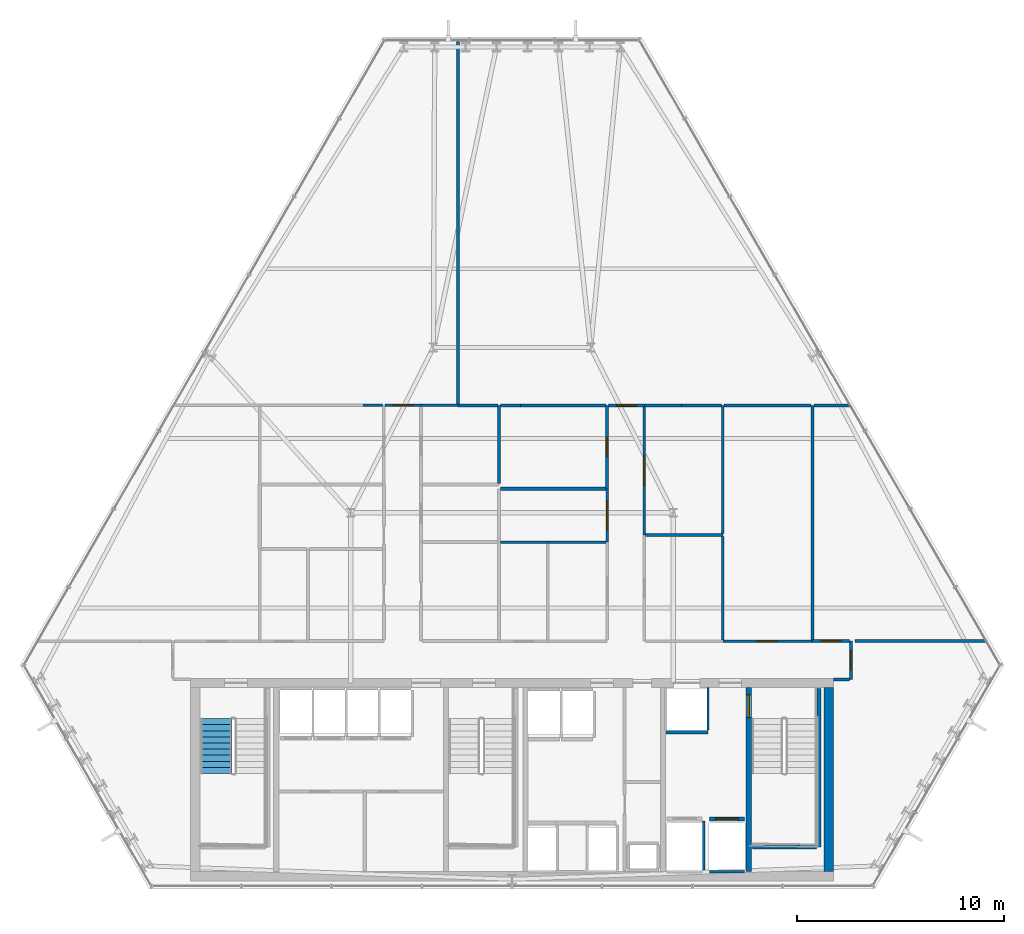
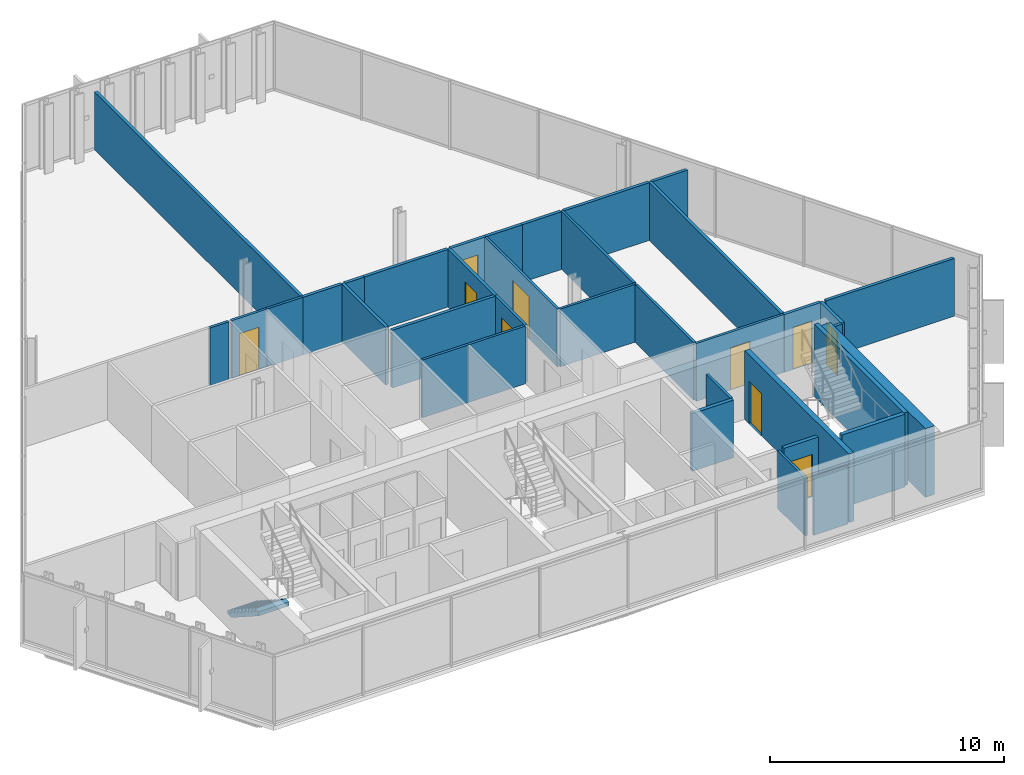
# One storey, part 27 of 32: 37 walls, 10 doors, 1 stair flight, 10 openings, 1 element without a shape of its own.
"""IFC4 building model written with IfcOpenShell, lengths in metres."""

from ifc_helpers import new_model, si_unit, direction, frame, frame_2d, origin, place, context, subcontext, project, spatial, polyline, rectangle, outline, extrude, material, layer, layer_set, type_object, element, fill, aggregate, save


model = new_model("IFC4")

# Units and contexts
model_context = context("Model", 3, precision=1e-05, world=origin(), true_north=direction((0.0, 1.0)))
body_context = subcontext(model_context, "Body", "Model", "MODEL_VIEW")
ifc_project = project(units=[si_unit("LENGTHUNIT", "METRE"), si_unit("AREAUNIT", "SQUARE_METRE"), si_unit("VOLUMEUNIT", "CUBIC_METRE"), si_unit("PLANEANGLEUNIT", "RADIAN"), si_unit("MASSUNIT", "GRAM", prefix="KILO")], contexts=[model_context])

# Site, building, storey
site_placement = place(None, origin())
site = spatial("IfcSite", under=ifc_project, at=site_placement, CompositionType="ELEMENT")
building_placement = place(site_placement, origin())
building = spatial("IfcBuilding", under=site, at=building_placement, Name="Ndaravel Arena Tower", CompositionType="ELEMENT")
storey_placement = place(building_placement, frame((0.0, 0.0, 130.800048828125)))
storey = spatial("IfcBuildingStorey", under=building, at=storey_placement, Name="L30", CompositionType="ELEMENT", Elevation=130.800048828125)

# Wall, opening, door
ifc_material_1 = material(Name="Concrete C60/75", Category="concrete")
ifc_layer_1 = layer(ifc_material_1, 0.25)
ifc_layer_set_1 = layer_set([ifc_layer_1], Name="Concrete C60/75")
wall_type_1 = type_object("IfcWallType", Name="WALL-CORE-250", PredefinedType="SOLIDWALL", material=ifc_layer_set_1)
wall_1_placement = place(storey_placement, frame((53.449951171875, 5.85009765625, 0.0), z_axis=(0.0, 0.0, 1.0), x_axis=(0.0, 1.0, 0.0)))
wall_1 = element("IfcWall", 1, at=wall_1_placement, inside=storey, type_object=wall_type_1, Name="L30 Core Web Shear Wall 5", PredefinedType="SOLIDWALL", context=body_context, shape_type="SweptSolid", body=[
    extrude(rectangle(XDim=8.89990234375, YDim=0.25, at=frame_2d((4.449951171875, 0.0))), origin(), (0.0, 0.0, 1.0), 3.579833984375),
])
opening_1_placement = place(wall_1_placement, frame((7.449951171875, 0.0, 0.0)))
opening_1 = element("IfcOpeningElement", 2, at=opening_1_placement, cuts=wall_1, Name="Opening FD-01", PredefinedType="OPENING", context=body_context, shape_type="SweptSolid", body=[
    extrude(rectangle(XDim=1.10009765625, YDim=2.199951171875, at=frame_2d((0.550048828125, 1.10009765625))), frame((0.0, 0.125, 0.0), z_axis=(0.0, -1.0, 0.0), x_axis=(1.0, 0.0, 0.0)), (0.0, 0.0, 1.0), 0.25),
])
ifc_material_2 = material(Name="Steel S355", Category="steel")
door_type_1 = type_object("IfcDoorType", Name="DT-01-STAIR-1100", OperationType="SINGLE_SWING_LEFT", PredefinedType="DOOR", material=ifc_material_2)
door_1_placement = place(opening_1_placement, origin())
door_1 = element("IfcDoor", 3, at=door_1_placement, inside=storey, type_object=door_type_1, Name="L30 Firefighting Lobby to ST-3 Door", OperationType="SINGLE_SWING_LEFT", OverallHeight=2.199951171875, OverallWidth=1.10009765625, PredefinedType="DOOR", context=body_context, shape_type="SweptSolid", body=[
    extrude(rectangle(XDim=1.10009765625, YDim=2.199951171875, at=frame_2d((0.550048828125, 1.10009765625))), frame((0.0, 0.02490234375, 0.0), z_axis=(0.0, -1.0, 0.0), x_axis=(1.0, 0.0, 0.0)), (0.0, 0.0, 1.0), 0.050048828125),
])
fill(opening_1, door_1)

# Wall
ifc_material_3 = material(Name="Concrete C60/75", Category="concrete")
ifc_layer_2 = layer(ifc_material_3, 0.449951171875)
ifc_layer_set_2 = layer_set([ifc_layer_2], Name="Concrete C60/75")
wall_type_2 = type_object("IfcWallType", Name="WALL-CORE-450", PredefinedType="SOLIDWALL", material=ifc_layer_set_2)
wall_2_placement = place(storey_placement, frame((57.324951171875, 5.85009765625, 0.0), z_axis=(0.0, 0.0, 1.0), x_axis=(0.0, 1.0, 0.0)))
element("IfcWall", 4, at=wall_2_placement, inside=storey, type_object=wall_type_2, Name="L30 Core East Shear Wall", PredefinedType="SOLIDWALL", context=body_context, shape_type="SweptSolid", body=[
    extrude(rectangle(XDim=8.89990234375, YDim=0.449951171875, at=frame_2d((4.449951171875, 0.0))), origin(), (0.0, 0.0, 1.0), 3.579833984375),
])

# Wall, opening, door
ifc_material_4 = material(Name="Gypsum", Category="gypsum")
ifc_layer_3 = layer(ifc_material_4, 0.125)
ifc_layer_set_3 = layer_set([ifc_layer_3], Name="Gypsum")
wall_type_3 = type_object("IfcWallType", Name="WALL-PART-125", PredefinedType="PARTITIONING", material=ifc_layer_set_3)
wall_3_placement = place(storey_placement, frame((35.864990234375, 28.39990234375, 0.0), z_axis=(0.0, 0.0, 1.0), x_axis=(1.0, 0.0, 0.0)))
wall_3 = element("IfcWall", 5, at=wall_3_placement, inside=storey, type_object=wall_type_3, Name="L30 Interior Partition 011", PredefinedType="PARTITIONING", context=body_context, shape_type="SweptSolid", body=[
    extrude(rectangle(XDim=1.735107421875, YDim=0.125, at=frame_2d((0.86767578125, 0.0))), origin(), (0.0, 0.0, 1.0), 3.010498046875),
])
opening_2_placement = place(wall_3_placement, frame((0.392578125, 0.0, 0.0)))
opening_2 = element("IfcOpeningElement", 6, at=opening_2_placement, cuts=wall_3, Name="Opening ID-01", PredefinedType="OPENING", context=body_context, shape_type="SweptSolid", body=[
    extrude(rectangle(XDim=0.949951171875, YDim=2.199951171875, at=frame_2d((0.47509765625, 1.10009765625))), frame((0.0, 0.0625, 0.0), z_axis=(0.0, -1.0, 0.0), x_axis=(1.0, 0.0, 0.0)), (0.0, 0.0, 1.0), 0.125),
])
ifc_material_5 = material(Name="Timber", Category="wood")
door_type_2 = type_object("IfcDoorType", Name="DT-03-OFFICE-950", OperationType="SINGLE_SWING_LEFT", PredefinedType="DOOR", material=ifc_material_5)
door_2_placement = place(opening_2_placement, origin())
door_2 = element("IfcDoor", 7, at=door_2_placement, inside=storey, type_object=door_type_2, Name="L30 Training Classroom 8 Door", OperationType="SINGLE_SWING_LEFT", OverallHeight=2.199951171875, OverallWidth=0.949951171875, PredefinedType="DOOR", context=body_context, shape_type="SweptSolid", body=[
    extrude(rectangle(XDim=0.949951171875, YDim=2.199951171875, at=frame_2d((0.47509765625, 1.10009765625))), frame((0.0, 0.02490234375, 0.0), z_axis=(0.0, -1.0, 0.0), x_axis=(1.0, 0.0, 0.0)), (0.0, 0.0, 1.0), 0.050048828125),
])
fill(opening_2, door_2)

wall_4_placement = place(storey_placement, frame((46.60009765625, 21.7880859375, 0.0), z_axis=(0.0, 0.0, 1.0), x_axis=(0.0, 1.0, 0.0)))
wall_4 = element("IfcWall", 8, at=wall_4_placement, inside=storey, type_object=wall_type_3, Name="L30 Interior Partition 019", PredefinedType="PARTITIONING", context=body_context, shape_type="SweptSolid", body=[
    extrude(rectangle(XDim=2.57861328125, YDim=0.125, at=frame_2d((1.289306640625, 0.0))), origin(), (0.0, 0.0, 1.0), 3.010498046875),
])
opening_3_placement = place(wall_4_placement, frame((0.58935546875, 0.0, 0.0)))
opening_3 = element("IfcOpeningElement", 9, at=opening_3_placement, cuts=wall_4, Name="Opening ID-02", PredefinedType="OPENING", context=body_context, shape_type="SweptSolid", body=[
    extrude(rectangle(XDim=1.39990234375, YDim=2.199951171875, at=frame_2d((0.699951171875, 1.10009765625))), frame((0.0, 0.0625, 0.0), z_axis=(0.0, -1.0, 0.0), x_axis=(1.0, 0.0, 0.0)), (0.0, 0.0, 1.0), 0.125),
])
ifc_material_6 = material(Name="Timber", Category="wood")
door_type_3 = type_object("IfcDoorType", Name="DT-04-SUITE-1400", OperationType="DOUBLE_DOOR_SINGLE_SWING", PredefinedType="DOOR", material=ifc_material_6)
door_3_placement = place(opening_3_placement, origin())
door_3 = element("IfcDoor", 10, at=door_3_placement, inside=storey, type_object=door_type_3, Name="L30 Executive Boardroom 5 Door", OperationType="SINGLE_SWING_LEFT", OverallHeight=2.199951171875, OverallWidth=1.39990234375, PredefinedType="DOOR", context=body_context, shape_type="SweptSolid", body=[
    extrude(rectangle(XDim=1.39990234375, YDim=2.199951171875, at=frame_2d((0.699951171875, 1.10009765625))), frame((0.0, 0.02490234375, 0.0), z_axis=(0.0, -1.0, 0.0), x_axis=(1.0, 0.0, 0.0)), (0.0, 0.0, 1.0), 0.050048828125),
])
fill(opening_3, door_3)

wall_5_placement = place(storey_placement, frame((48.39990234375, 28.3349609375, 0.0), z_axis=(0.0, 0.0, 1.0), x_axis=(0.0, -1.0, 0.0)))
wall_5 = element("IfcWall", 11, at=wall_5_placement, inside=storey, type_object=wall_type_3, Name="L30 Interior Partition 022", PredefinedType="PARTITIONING", context=body_context, shape_type="SweptSolid", body=[
    extrude(rectangle(XDim=6.205078125, YDim=0.125, at=frame_2d((3.1025390625, 0.0))), origin(), (0.0, 0.0, 1.0), 3.010498046875),
])
opening_4_placement = place(wall_5_placement, frame((2.402587890625, 0.0, 0.0)))
opening_4 = element("IfcOpeningElement", 12, at=opening_4_placement, cuts=wall_5, Name="Opening ID-02", PredefinedType="OPENING", context=body_context, shape_type="SweptSolid", body=[
    extrude(rectangle(XDim=1.39990234375, YDim=2.199951171875, at=frame_2d((0.699951171875, 1.10009765625))), frame((0.0, 0.0625, 0.0), z_axis=(0.0, -1.0, 0.0), x_axis=(1.0, 0.0, 0.0)), (0.0, 0.0, 1.0), 0.125),
])
door_4_placement = place(opening_4_placement, origin())
door_4 = element("IfcDoor", 13, at=door_4_placement, inside=storey, type_object=door_type_3, Name="L30 Client Conference Room 6 Door", OperationType="SINGLE_SWING_LEFT", OverallHeight=2.199951171875, OverallWidth=1.39990234375, PredefinedType="DOOR", context=body_context, shape_type="SweptSolid", body=[
    extrude(rectangle(XDim=1.39990234375, YDim=2.199951171875, at=frame_2d((0.699951171875, 1.10009765625))), frame((0.0, 0.02490234375, 0.0), z_axis=(0.0, -1.0, 0.0), x_axis=(1.0, 0.0, 0.0)), (0.0, 0.0, 1.0), 0.050048828125),
])
fill(opening_4, door_4)

wall_6_placement = place(storey_placement, frame((52.199951171875, 17.0, 0.0), z_axis=(0.0, 0.0, 1.0), x_axis=(1.0, 0.0, 0.0)))
wall_6 = element("IfcWall", 14, at=wall_6_placement, inside=storey, type_object=wall_type_3, Name="L30 Interior Partition 025", PredefinedType="PARTITIONING", context=body_context, shape_type="SweptSolid", body=[
    extrude(rectangle(XDim=4.33251953125, YDim=0.125, at=frame_2d((2.166259765625, 0.0))), origin(), (0.0, 0.0, 1.0), 3.010498046875),
])
opening_5_placement = place(wall_6_placement, frame((1.691162109375, 0.0, 0.0)))
opening_5 = element("IfcOpeningElement", 15, at=opening_5_placement, cuts=wall_6, Name="Opening ID-01", PredefinedType="OPENING", context=body_context, shape_type="SweptSolid", body=[
    extrude(rectangle(XDim=0.949951171875, YDim=2.199951171875, at=frame_2d((0.47509765625, 1.10009765625))), frame((0.0, 0.0625, 0.0), z_axis=(0.0, -1.0, 0.0), x_axis=(1.0, 0.0, 0.0)), (0.0, 0.0, 1.0), 0.125),
])
door_5_placement = place(opening_5_placement, origin())
door_5 = element("IfcDoor", 16, at=door_5_placement, inside=storey, type_object=door_type_2, Name="L30 Training Classroom 4 Door", OperationType="SINGLE_SWING_LEFT", OverallHeight=2.199951171875, OverallWidth=0.949951171875, PredefinedType="DOOR", context=body_context, shape_type="SweptSolid", body=[
    extrude(rectangle(XDim=0.949951171875, YDim=2.199951171875, at=frame_2d((0.47509765625, 1.10009765625))), frame((0.0, 0.02490234375, 0.0), z_axis=(0.0, -1.0, 0.0), x_axis=(1.0, 0.0, 0.0)), (0.0, 0.0, 1.0), 0.050048828125),
])
fill(opening_5, door_5)

# Walls
wall_7_placement = place(storey_placement, frame((41.445068359375, 21.7880859375, 0.0), z_axis=(0.0, 0.0, 1.0), x_axis=(1.0, 0.0, 0.0)))
element("IfcWall", 17, at=wall_7_placement, inside=storey, type_object=wall_type_3, Name="L30 Interior Partition 036", PredefinedType="PARTITIONING", context=body_context, shape_type="SweptSolid", body=[
    extrude(rectangle(XDim=2.283935546875, YDim=0.125, at=frame_2d((1.14208984375, 0.0))), origin(), (0.0, 0.0, 1.0), 3.010498046875),
])
wall_8_placement = place(storey_placement, frame((43.72900390625, 21.7880859375, 0.0), z_axis=(0.0, 0.0, 1.0), x_axis=(1.0, 0.0, 0.0)))
element("IfcWall", 18, at=wall_8_placement, inside=storey, type_object=wall_type_3, Name="L30 Interior Partition 038", PredefinedType="PARTITIONING", context=body_context, shape_type="SweptSolid", body=[
    extrude(rectangle(XDim=2.805908203125, YDim=0.125, at=frame_2d((1.40283203125, 0.0))), origin(), (0.0, 0.0, 1.0), 3.010498046875),
])
wall_9_placement = place(storey_placement, frame((48.465087890625, 22.1298828125, 0.0), z_axis=(0.0, 0.0, 1.0), x_axis=(1.0, 0.0, 0.0)))
element("IfcWall", 19, at=wall_9_placement, inside=storey, type_object=wall_type_3, Name="L30 Interior Partition 039", PredefinedType="PARTITIONING", context=body_context, shape_type="SweptSolid", body=[
    extrude(rectangle(XDim=3.73486328125, YDim=0.125, at=frame_2d((1.867431640625, 0.0))), origin(), (0.0, 0.0, 1.0), 3.010498046875),
])
wall_10_placement = place(storey_placement, frame((52.199951171875, 22.06494140625, 0.0), z_axis=(0.0, 0.0, 1.0), x_axis=(0.0, -1.0, 0.0)))
element("IfcWall", 20, at=wall_10_placement, inside=storey, type_object=wall_type_3, Name="L30 Interior Partition 040", PredefinedType="PARTITIONING", context=body_context, shape_type="SweptSolid", body=[
    extrude(rectangle(XDim=5.0, YDim=0.125, at=frame_2d((2.5, 0.0))), origin(), (0.0, 0.0, 1.0), 3.010498046875),
])
wall_11_placement = place(storey_placement, frame((52.199951171875, 22.195068359375, 0.0), z_axis=(0.0, 0.0, 1.0), x_axis=(0.0, 1.0, 0.0)))
element("IfcWall", 21, at=wall_11_placement, inside=storey, type_object=wall_type_3, Name="L30 Interior Partition 046", PredefinedType="PARTITIONING", context=body_context, shape_type="SweptSolid", body=[
    extrude(rectangle(XDim=6.204833984375, YDim=0.125, at=frame_2d((3.1025390625, 0.0))), origin(), (0.0, 0.0, 1.0), 3.010498046875),
])
wall_12_placement = place(storey_placement, frame((37.60009765625, 28.39990234375, 0.0), z_axis=(0.0, 0.0, 1.0), x_axis=(1.0, 0.0, 0.0)))
element("IfcWall", 22, at=wall_12_placement, inside=storey, type_object=wall_type_3, Name="L30 Interior Partition 057", PredefinedType="PARTITIONING", context=body_context, shape_type="SweptSolid", body=[
    extrude(rectangle(XDim=1.7822265625, YDim=0.125, at=frame_2d((0.89111328125, 0.0))), origin(), (0.0, 0.0, 1.0), 3.010498046875),
])
wall_13_placement = place(storey_placement, frame((34.800048828125, 28.39990234375, 0.0), z_axis=(0.0, 0.0, 1.0), x_axis=(1.0, 0.0, 0.0)))
element("IfcWall", 23, at=wall_13_placement, inside=storey, type_object=wall_type_3, Name="L30 Interior Partition 060", PredefinedType="PARTITIONING", context=body_context, shape_type="SweptSolid", body=[
    extrude(rectangle(XDim=0.93505859375, YDim=0.125, at=frame_2d((0.467529296875, 0.0))), origin(), (0.0, 0.0, 1.0), 3.010498046875),
])
ifc_material_7 = material(Name="Concrete C40/50", Category="concrete")
ifc_layer_4 = layer(ifc_material_7, 0.1201171875)
ifc_layer_set_4 = layer_set([ifc_layer_4], Name="Concrete C40/50")
wall_type_4 = type_object("IfcWallType", Name="WALL-SHAFT-120", PredefinedType="SOLIDWALL", material=ifc_layer_set_4)
wall_14_placement = place(storey_placement, frame((51.27490234375, 5.929931640625, 0.0), z_axis=(0.0, 0.0, 1.0), x_axis=(0.0, 1.0, 0.0)))
element("IfcWall", 24, at=wall_14_placement, inside=storey, type_object=wall_type_4, Name="L30 FFL-1 Shaft Side R Wall", PredefinedType="SOLIDWALL", context=body_context, shape_type="SweptSolid", body=[
    extrude(rectangle(XDim=2.380126953125, YDim=0.1201171875, at=frame_2d((1.18994140625, 0.0))), origin(), (0.0, 0.0, 1.0), 3.010498046875),
])
wall_15_placement = place(storey_placement, frame((51.554931640625, 5.840087890625, 0.0), z_axis=(0.0, 0.0, 1.0), x_axis=(1.0, 0.0, 0.0)))
element("IfcWall", 25, at=wall_15_placement, inside=storey, type_object=wall_type_4, Name="L30 FFL-2 Shaft Rear Wall", PredefinedType="SOLIDWALL", context=body_context, shape_type="SweptSolid", body=[
    extrude(rectangle(XDim=1.690185546875, YDim=0.1201171875, at=frame_2d((0.84521484375, 0.0))), origin(), (0.0, 0.0, 1.0), 3.010498046875),
])
wall_16_placement = place(storey_placement, frame((51.47998046875, 12.68994140625, 0.0), z_axis=(0.0, 0.0, 1.0), x_axis=(0.0, 1.0, 0.0)))
element("IfcWall", 26, at=wall_16_placement, inside=storey, type_object=wall_type_4, Name="L30 SVL-1 Shaft E Wall", PredefinedType="SOLIDWALL", context=body_context, shape_type="SweptSolid", body=[
    extrude(rectangle(XDim=2.070068359375, YDim=0.1201171875, at=frame_2d((1.03515625, 0.0))), origin(), (0.0, 0.0, 1.0), 3.010498046875),
])
ifc_material_8 = material(Name="Concrete C40/50", Category="concrete")
ifc_layer_5 = layer(ifc_material_8, 0.199951171875)
ifc_layer_set_5 = layer_set([ifc_layer_5], Name="Concrete C40/50")
wall_type_5 = type_object("IfcWallType", Name="WALL-SHAFT-200", PredefinedType="SOLIDWALL", material=ifc_layer_set_5)
wall_17_placement = place(storey_placement, frame((56.840087890625, 14.699951171875, 0.0), z_axis=(0.0, 0.0, 1.0), x_axis=(0.0, -1.0, 0.0)))
element("IfcWall", 27, at=wall_17_placement, inside=storey, type_object=wall_type_5, Name="L30 ST-3 Structural Shaft Wall Right", PredefinedType="SOLIDWALL", context=body_context, shape_type="SweptSolid", body=[
    extrude(rectangle(XDim=7.64990234375, YDim=0.199951171875, at=frame_2d((3.824951171875, 0.0))), origin(), (0.0, 0.0, 1.0), 3.800048828125),
])
wall_18_placement = place(storey_placement, frame((53.6201171875, 7.050048828125, 0.0), z_axis=(0.0, 0.0, 1.0), x_axis=(1.0, 0.0, 0.0)))
element("IfcWall", 28, at=wall_18_placement, inside=storey, type_object=wall_type_5, Name="L30 ST-3 Structural Shaft Wall Far", PredefinedType="SOLIDWALL", context=body_context, shape_type="SweptSolid", body=[
    extrude(rectangle(XDim=3.114990234375, YDim=0.199951171875, at=frame_2d((1.5576171875, 0.0))), origin(), (0.0, 0.0, 1.0), 3.800048828125),
])

# Wall, opening, door
wall_19_placement = place(storey_placement, frame((51.554931640625, 8.39990234375, 0.0), z_axis=(0.0, 0.0, 1.0), x_axis=(1.0, 0.0, 0.0)))
wall_19 = element("IfcWall", 29, at=wall_19_placement, inside=storey, type_object=wall_type_5, Name="L30 FFL-2 Shaft Landing Wall", PredefinedType="SOLIDWALL", context=body_context, shape_type="SweptSolid", body=[
    extrude(rectangle(XDim=1.690185546875, YDim=0.179931640625, at=frame_2d((0.84521484375, 0.0))), origin(), (0.0, 0.0, 1.0), 3.010498046875),
])
opening_6_placement = place(wall_19_placement, frame((0.294921875, 0.0, 0.0)))
opening_6 = element("IfcOpeningElement", 30, at=opening_6_placement, cuts=wall_19, Name="Opening LD-01", PredefinedType="OPENING", context=body_context, shape_type="SweptSolid", body=[
    extrude(rectangle(XDim=1.10009765625, YDim=2.199951171875, at=frame_2d((0.550048828125, 1.10009765625))), frame((0.0, 0.08984375, 0.0), z_axis=(0.0, -1.0, 0.0), x_axis=(1.0, 0.0, 0.0)), (0.0, 0.0, 1.0), 0.179931640625),
])
ifc_material_9 = material(Name="Steel S355", Category="steel")
door_type_4 = type_object("IfcDoorType", Name="DT-06-LIFT-1100", OperationType="SLIDING_TO_LEFT", PredefinedType="DOOR", material=ifc_material_9)
door_6_placement = place(opening_6_placement, origin())
door_6 = element("IfcDoor", 31, at=door_6_placement, inside=storey, type_object=door_type_4, Name="L30 Lift FFL-2 Sliding Landing Door", OperationType="SLIDING_TO_LEFT", OverallHeight=2.199951171875, OverallWidth=1.10009765625, PredefinedType="DOOR", context=body_context, shape_type="SweptSolid", body=[
    extrude(rectangle(XDim=1.10009765625, YDim=2.199951171875, at=frame_2d((0.550048828125, 1.10009765625))), frame((0.0, 0.02490234375, 0.0), z_axis=(0.0, -1.0, 0.0), x_axis=(1.0, 0.0, 0.0)), (0.0, 0.0, 1.0), 0.050048828125),
])
fill(opening_6, door_6)

# Wall
wall_20_placement = place(storey_placement, frame((49.43994140625, 12.594970703125, 0.0), z_axis=(0.0, 0.0, 1.0), x_axis=(1.0, 0.0, 0.0)))
element("IfcWall", 32, at=wall_20_placement, inside=storey, type_object=wall_type_5, Name="L30 SVL-1 Shaft South Wall", PredefinedType="SOLIDWALL", context=body_context, shape_type="SweptSolid", body=[
    extrude(rectangle(XDim=2.0400390625, YDim=0.179931640625, at=frame_2d((1.02001953125, 0.0))), origin(), (0.0, 0.0, 1.0), 3.010498046875),
])

# Wall, opening, door
ifc_material_10 = material(Name="Masonry", Category="masonry")
ifc_layer_6 = layer(ifc_material_10, 0.14990234375)
ifc_layer_set_6 = layer_set([ifc_layer_6], Name="Masonry")
wall_type_6 = type_object("IfcWallType", Name="WALL-WET-150", PredefinedType="PARTITIONING", material=ifc_layer_set_6)
wall_21_placement = place(storey_placement, frame((58.39990234375, 17.0, 0.0), z_axis=(0.0, 0.0, 1.0), x_axis=(0.0, -1.0, 0.0)))
wall_21 = element("IfcWall", 33, at=wall_21_placement, inside=storey, type_object=wall_type_6, Name="L30 Interior Partition 001", PredefinedType="PARTITIONING", context=body_context, shape_type="SweptSolid", body=[
    extrude(rectangle(XDim=1.85009765625, YDim=0.14990234375, at=frame_2d((0.925048828125, 0.0))), origin(), (0.0, 0.0, 1.0), 3.010498046875),
])
opening_7_placement = place(wall_21_placement, frame((0.449951171875, 0.0, 0.0)))
opening_7 = element("IfcOpeningElement", 34, at=opening_7_placement, cuts=wall_21, Name="Opening FD-03", PredefinedType="OPENING", context=body_context, shape_type="SweptSolid", body=[
    extrude(rectangle(XDim=0.949951171875, YDim=2.199951171875, at=frame_2d((0.47509765625, 1.10009765625))), frame((0.0, 0.074951171875, 0.0), z_axis=(0.0, -1.0, 0.0), x_axis=(1.0, 0.0, 0.0)), (0.0, 0.0, 1.0), 0.14990234375),
])
ifc_material_11 = material(Name="Steel S355", Category="steel")
door_type_5 = type_object("IfcDoorType", Name="DT-11-CORE-950", OperationType="SINGLE_SWING_LEFT", PredefinedType="DOOR", material=ifc_material_11)
door_7_placement = place(opening_7_placement, origin())
door_7 = element("IfcDoor", 35, at=door_7_placement, inside=storey, type_object=door_type_5, Name="L30 Staff Espresso Kitchen Door", OperationType="SINGLE_SWING_RIGHT", OverallHeight=2.199951171875, OverallWidth=0.949951171875, PredefinedType="DOOR", context=body_context, shape_type="SweptSolid", body=[
    extrude(rectangle(XDim=0.949951171875, YDim=2.199951171875, at=frame_2d((0.47509765625, 1.10009765625))), frame((0.0, 0.02490234375, 0.0), z_axis=(0.0, -1.0, 0.0), x_axis=(1.0, 0.0, 0.0)), (0.0, 0.0, 1.0), 0.050048828125),
])
fill(opening_7, door_7)

# Wall
wall_22_placement = place(storey_placement, frame((58.3349609375, 15.14990234375, 0.0), z_axis=(0.0, 0.0, 1.0), x_axis=(-1.0, 0.0, 0.0)))
element("IfcWall", 36, at=wall_22_placement, inside=storey, type_object=wall_type_6, Name="L30 Interior Partition 002", PredefinedType="PARTITIONING", context=body_context, shape_type="SweptSolid", body=[
    extrude(rectangle(XDim=0.784912109375, YDim=0.14990234375, at=frame_2d((0.392578125, 0.0))), origin(), (0.0, 0.0, 1.0), 3.010498046875),
])

# Wall, opening, door
wall_23_placement = place(storey_placement, frame((46.60009765625, 24.36669921875, 0.0), z_axis=(0.0, 0.0, 1.0), x_axis=(0.0, 1.0, 0.0)))
wall_23 = element("IfcWall", 37, at=wall_23_placement, inside=storey, type_object=wall_type_6, Name="L30 Interior Partition 020", PredefinedType="PARTITIONING", context=body_context, shape_type="SweptSolid", body=[
    extrude(rectangle(XDim=4.033203125, YDim=0.14990234375, at=frame_2d((2.0166015625, 0.0))), origin(), (0.0, 0.0, 1.0), 3.010498046875),
])
opening_8_placement = place(wall_23_placement, frame((1.54150390625, 0.0, 0.0)))
opening_8 = element("IfcOpeningElement", 38, at=opening_8_placement, cuts=wall_23, Name="Opening FD-03", PredefinedType="OPENING", context=body_context, shape_type="SweptSolid", body=[
    extrude(rectangle(XDim=0.949951171875, YDim=2.199951171875, at=frame_2d((0.47509765625, 1.10009765625))), frame((0.0, 0.074951171875, 0.0), z_axis=(0.0, -1.0, 0.0), x_axis=(1.0, 0.0, 0.0)), (0.0, 0.0, 1.0), 0.14990234375),
])
door_8_placement = place(opening_8_placement, origin())
door_8 = element("IfcDoor", 39, at=door_8_placement, inside=storey, type_object=door_type_5, Name="L30 Catering Pantry 6 Door", OperationType="SINGLE_SWING_RIGHT", OverallHeight=2.199951171875, OverallWidth=0.949951171875, PredefinedType="DOOR", context=body_context, shape_type="SweptSolid", body=[
    extrude(rectangle(XDim=0.949951171875, YDim=2.199951171875, at=frame_2d((0.47509765625, 1.10009765625))), frame((0.0, 0.02490234375, 0.0), z_axis=(0.0, -1.0, 0.0), x_axis=(1.0, 0.0, 0.0)), (0.0, 0.0, 1.0), 0.050048828125),
])
fill(opening_8, door_8)

wall_24_placement = place(storey_placement, frame((46.6650390625, 28.39990234375, 0.0), z_axis=(0.0, 0.0, 1.0), x_axis=(1.0, 0.0, 0.0)))
wall_24 = element("IfcWall", 40, at=wall_24_placement, inside=storey, type_object=wall_type_6, Name="L30 Interior Partition 021", PredefinedType="PARTITIONING", context=body_context, shape_type="SweptSolid", body=[
    extrude(rectangle(XDim=1.73486328125, YDim=0.14990234375, at=frame_2d((0.867431640625, 0.0))), origin(), (0.0, 0.0, 1.0), 3.010498046875),
])
opening_9_placement = place(wall_24_placement, frame((0.392578125, 0.0, 0.0)))
opening_9 = element("IfcOpeningElement", 41, at=opening_9_placement, cuts=wall_24, Name="Opening FD-03", PredefinedType="OPENING", context=body_context, shape_type="SweptSolid", body=[
    extrude(rectangle(XDim=0.949951171875, YDim=2.199951171875, at=frame_2d((0.47509765625, 1.10009765625))), frame((0.0, 0.074951171875, 0.0), z_axis=(0.0, -1.0, 0.0), x_axis=(1.0, 0.0, 0.0)), (0.0, 0.0, 1.0), 0.14990234375),
])
door_9_placement = place(opening_9_placement, origin())
door_9 = element("IfcDoor", 42, at=door_9_placement, inside=storey, type_object=door_type_5, Name="L30 Floor Servery Kitchen 8 Door", OperationType="SINGLE_SWING_RIGHT", OverallHeight=2.199951171875, OverallWidth=0.949951171875, PredefinedType="DOOR", context=body_context, shape_type="SweptSolid", body=[
    extrude(rectangle(XDim=0.949951171875, YDim=2.199951171875, at=frame_2d((0.47509765625, 1.10009765625))), frame((0.0, 0.02490234375, 0.0), z_axis=(0.0, -1.0, 0.0), x_axis=(1.0, 0.0, 0.0)), (0.0, 0.0, 1.0), 0.050048828125),
])
fill(opening_9, door_9)

wall_25_placement = place(storey_placement, frame((56.532470703125, 17.0, 0.0), z_axis=(0.0, 0.0, 1.0), x_axis=(1.0, 0.0, 0.0)))
wall_25 = element("IfcWall", 43, at=wall_25_placement, inside=storey, type_object=wall_type_6, Name="L30 Interior Partition 026", PredefinedType="PARTITIONING", context=body_context, shape_type="SweptSolid", body=[
    extrude(rectangle(XDim=1.802490234375, YDim=0.14990234375, at=frame_2d((0.9013671875, 0.0))), origin(), (0.0, 0.0, 1.0), 3.010498046875),
])
opening_10_placement = place(wall_25_placement, frame((0.42626953125, 0.0, 0.0)))
opening_10 = element("IfcOpeningElement", 44, at=opening_10_placement, cuts=wall_25, Name="Opening FD-03", PredefinedType="OPENING", context=body_context, shape_type="SweptSolid", body=[
    extrude(rectangle(XDim=0.949951171875, YDim=2.199951171875, at=frame_2d((0.47509765625, 1.10009765625))), frame((0.0, 0.074951171875, 0.0), z_axis=(0.0, -1.0, 0.0), x_axis=(1.0, 0.0, 0.0)), (0.0, 0.0, 1.0), 0.14990234375),
])
door_10_placement = place(opening_10_placement, origin())
door_10 = element("IfcDoor", 45, at=door_10_placement, inside=storey, type_object=door_type_5, Name="L30 Catering Pantry 2 Door", OperationType="SINGLE_SWING_LEFT", OverallHeight=2.199951171875, OverallWidth=0.949951171875, PredefinedType="DOOR", context=body_context, shape_type="SweptSolid", body=[
    extrude(rectangle(XDim=0.949951171875, YDim=2.199951171875, at=frame_2d((0.47509765625, 1.10009765625))), frame((0.0, 0.02490234375, 0.0), z_axis=(0.0, -1.0, 0.0), x_axis=(1.0, 0.0, 0.0)), (0.0, 0.0, 1.0), 0.050048828125),
])
fill(opening_10, door_10)

# Walls
wall_26_placement = place(storey_placement, frame((58.60009765625, 17.0, 0.0), z_axis=(0.0, 0.0, 1.0), x_axis=(1.0, 0.0, 0.0)))
element("IfcWall", 46, at=wall_26_placement, inside=storey, type_object=wall_type_6, Name="L30 Interior Partition 029", PredefinedType="PARTITIONING", context=body_context, shape_type="SweptSolid", body=[
    extrude(rectangle(XDim=6.34228515625, YDim=0.14990234375, at=frame_2d((3.171142578125, 0.0))), origin(), (0.0, 0.0, 1.0), 3.010498046875),
])
wall_27_placement = place(storey_placement, frame((56.532470703125, 17.06494140625, 0.0), z_axis=(0.0, 0.0, 1.0), x_axis=(0.0, 1.0, 0.0)))
element("IfcWall", 47, at=wall_27_placement, inside=storey, type_object=wall_type_6, Name="L30 Interior Partition 041", PredefinedType="PARTITIONING", context=body_context, shape_type="SweptSolid", body=[
    extrude(rectangle(XDim=11.3349609375, YDim=0.14990234375, at=frame_2d((5.66748046875, 0.0))), origin(), (0.0, 0.0, 1.0), 3.010498046875),
])
wall_28_placement = place(storey_placement, frame((56.597412109375, 28.39990234375, 0.0), z_axis=(0.0, 0.0, 1.0), x_axis=(1.0, 0.0, 0.0)))
element("IfcWall", 48, at=wall_28_placement, inside=storey, type_object=wall_type_6, Name="L30 Interior Partition 042", PredefinedType="PARTITIONING", context=body_context, shape_type="SweptSolid", body=[
    extrude(rectangle(XDim=1.76318359375, YDim=0.14990234375, at=frame_2d((0.881591796875, 0.0))), origin(), (0.0, 0.0, 1.0), 3.010498046875),
])
wall_29_placement = place(storey_placement, frame((52.264892578125, 28.39990234375, 0.0), z_axis=(0.0, 0.0, 1.0), x_axis=(1.0, 0.0, 0.0)))
element("IfcWall", 49, at=wall_29_placement, inside=storey, type_object=wall_type_6, Name="L30 Interior Partition 047", PredefinedType="PARTITIONING", context=body_context, shape_type="SweptSolid", body=[
    extrude(rectangle(XDim=4.202392578125, YDim=0.14990234375, at=frame_2d((2.10107421875, 0.0))), origin(), (0.0, 0.0, 1.0), 3.010498046875),
])
wall_30_placement = place(storey_placement, frame((41.445068359375, 24.36669921875, 0.0), z_axis=(0.0, 0.0, 1.0), x_axis=(1.0, 0.0, 0.0)))
element("IfcWall", 50, at=wall_30_placement, inside=storey, type_object=wall_type_6, Name="L30 Interior Partition 050", PredefinedType="PARTITIONING", context=body_context, shape_type="SweptSolid", body=[
    extrude(rectangle(XDim=5.08984375, YDim=0.14990234375, at=frame_2d((2.544921875, 0.0))), origin(), (0.0, 0.0, 1.0), 3.010498046875),
])
wall_31_placement = place(storey_placement, frame((48.39990234375, 28.39990234375, 0.0), z_axis=(0.0, 0.0, 1.0), x_axis=(1.0, 0.0, 0.0)))
element("IfcWall", 51, at=wall_31_placement, inside=storey, type_object=wall_type_6, Name="L30 Interior Partition 052", PredefinedType="PARTITIONING", context=body_context, shape_type="SweptSolid", body=[
    extrude(rectangle(XDim=1.800048828125, YDim=0.14990234375, at=frame_2d((0.89990234375, 0.0))), origin(), (0.0, 0.0, 1.0), 3.010498046875),
])
wall_32_placement = place(storey_placement, frame((50.199951171875, 28.39990234375, 0.0), z_axis=(0.0, 0.0, 1.0), x_axis=(1.0, 0.0, 0.0)))
element("IfcWall", 52, at=wall_32_placement, inside=storey, type_object=wall_type_6, Name="L30 Interior Partition 053", PredefinedType="PARTITIONING", context=body_context, shape_type="SweptSolid", body=[
    extrude(rectangle(XDim=1.93505859375, YDim=0.14990234375, at=frame_2d((0.967529296875, 0.0))), origin(), (0.0, 0.0, 1.0), 3.010498046875),
])
wall_33_placement = place(storey_placement, frame((41.3798828125, 24.6298828125, 0.0), z_axis=(0.0, 0.0, 1.0), x_axis=(0.0, 1.0, 0.0)))
element("IfcWall", 53, at=wall_33_placement, inside=storey, type_object=wall_type_6, Name="L30 Interior Partition 054", PredefinedType="PARTITIONING", context=body_context, shape_type="SweptSolid", body=[
    extrude(rectangle(XDim=3.77001953125, YDim=0.14990234375, at=frame_2d((1.885009765625, 0.0))), origin(), (0.0, 0.0, 1.0), 3.010498046875),
])
wall_34_placement = place(storey_placement, frame((41.445068359375, 28.39990234375, 0.0), z_axis=(0.0, 0.0, 1.0), x_axis=(1.0, 0.0, 0.0)))
element("IfcWall", 54, at=wall_34_placement, inside=storey, type_object=wall_type_6, Name="L30 Interior Partition 055", PredefinedType="PARTITIONING", context=body_context, shape_type="SweptSolid", body=[
    extrude(rectangle(XDim=0.954833984375, YDim=0.14990234375, at=frame_2d((0.4775390625, 0.0))), origin(), (0.0, 0.0, 1.0), 3.010498046875),
])
wall_35_placement = place(storey_placement, frame((42.39990234375, 28.39990234375, 0.0), z_axis=(0.0, 0.0, 1.0), x_axis=(1.0, 0.0, 0.0)))
element("IfcWall", 55, at=wall_35_placement, inside=storey, type_object=wall_type_6, Name="L30 Interior Partition 056", PredefinedType="PARTITIONING", context=body_context, shape_type="SweptSolid", body=[
    extrude(rectangle(XDim=4.135009765625, YDim=0.14990234375, at=frame_2d((2.0673828125, 0.0))), origin(), (0.0, 0.0, 1.0), 3.010498046875),
])
wall_36_placement = place(storey_placement, frame((39.38232421875, 28.39990234375, 0.0), z_axis=(0.0, 0.0, 1.0), x_axis=(1.0, 0.0, 0.0)))
element("IfcWall", 56, at=wall_36_placement, inside=storey, type_object=wall_type_6, Name="L30 Interior Partition 058", PredefinedType="PARTITIONING", context=body_context, shape_type="SweptSolid", body=[
    extrude(rectangle(XDim=1.9326171875, YDim=0.14990234375, at=frame_2d((0.96630859375, 0.0))), origin(), (0.0, 0.0, 1.0), 3.010498046875),
])
wall_37_placement = place(storey_placement, frame((39.38232421875, 46.05615234375, 0.0), z_axis=(0.0, 0.0, 1.0), x_axis=(0.0, -1.0, 0.0)))
element("IfcWall", 57, at=wall_37_placement, inside=storey, type_object=wall_type_6, Name="L30 Interior Partition 061", PredefinedType="PARTITIONING", context=body_context, shape_type="SweptSolid", body=[
    extrude(rectangle(XDim=17.591064453125, YDim=0.14990234375, at=frame_2d((8.79541015625, 0.0))), origin(), (0.0, 0.0, 1.0), 3.010498046875),
])

# Stair, stair flight
ifc_material_12 = material(Name="Concrete C40/50", Category="concrete")
stair_type = type_object("IfcStairType", Name="STAIR-CORE-HT", PredefinedType="HALF_TURN_STAIR", material=ifc_material_12)
stair_placement = place(storey_placement, origin())
stair = element("IfcStair", 58, at=stair_placement, inside=storey, type_object=stair_type, Name="L30 ST-1", PredefinedType="HALF_TURN_STAIR")
ifc_material_13 = material(Name="Concrete C40/50", Category="concrete")
stair_flight_type = type_object("IfcStairFlightType", Name="SFLIGHT-CORE-1680", PredefinedType="STRAIGHT", material=ifc_material_13)
stair_flight_placement = place(storey_placement, frame((27.699951171875, 13.25, 0.0), z_axis=(0.0, 0.0, 1.0), x_axis=(0.0, -1.0, 0.0)))
stair_flight = element("IfcStairFlight", 59, at=stair_flight_placement, type_object=stair_flight_type, Name="ST-1 flight 1", NumberOfRisers=10, NumberOfTreads=9, PredefinedType="STRAIGHT", RiserHeight=0.19, TreadLength=0.295, context=body_context, shape_type="SweptSolid", body=[
    extrude(outline(polyline([(0.0, 0.0), (0.0, 0.18994140625), (0.294921875, 0.18994140625), (0.294921875, 0.3798828125), (0.590087890625, 0.3798828125), (0.590087890625, 0.570068359375), (0.885009765625, 0.570068359375), (0.885009765625, 0.760009765625), (1.179931640625, 0.760009765625), (1.179931640625, 0.949951171875), (1.47509765625, 0.949951171875), (1.47509765625, 1.139892578125), (1.77001953125, 1.139892578125), (1.77001953125, 1.330078125), (2.06494140625, 1.330078125), (2.06494140625, 1.52001953125), (2.360107421875, 1.52001953125), (2.360107421875, 1.7099609375), (2.655029296875, 1.7099609375), (2.655029296875, 1.89990234375), (2.655029296875, 1.49609375), (0.332275390625, 0.0), (0.0, 0.0)])), frame((0.0, 0.75, 0.0), z_axis=(0.0, -1.0, 0.0), x_axis=(1.0, 0.0, 0.0)), (0.0, 0.0, 1.0), 1.5),
])
aggregate(stair, [stair_flight])

save(model, "model.ifc")
